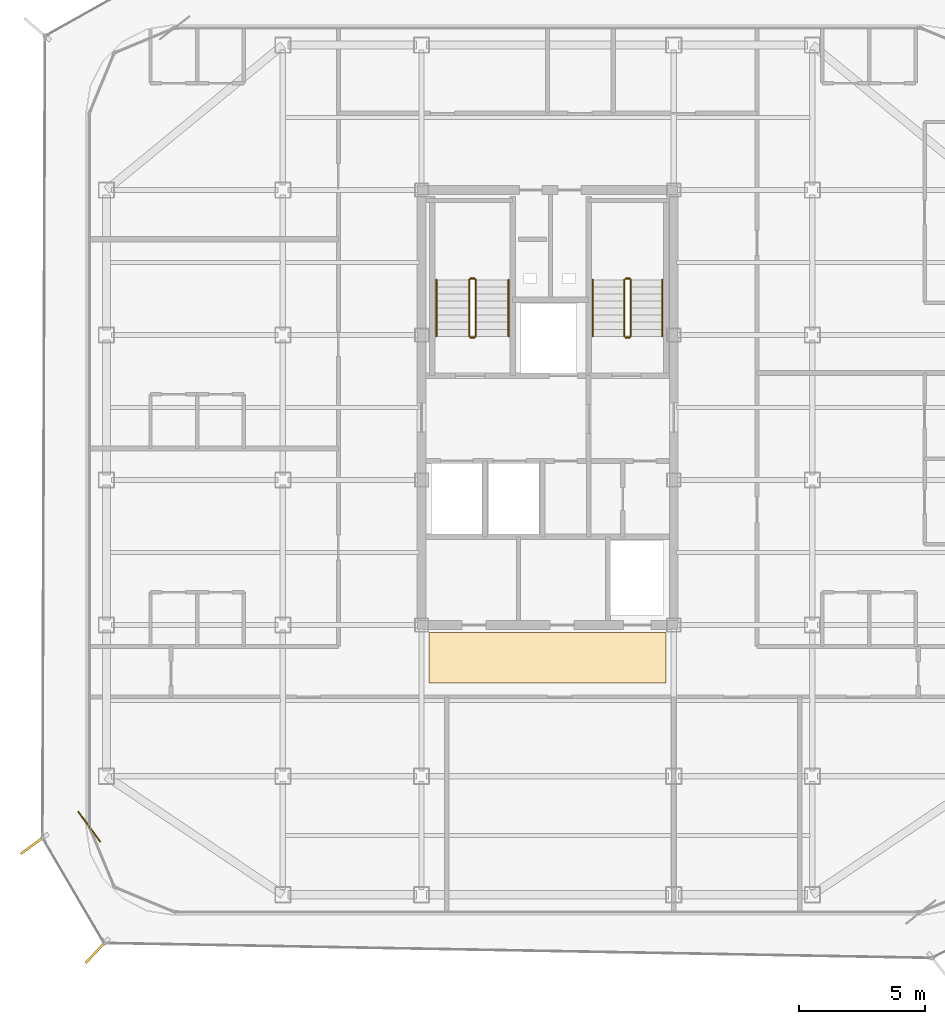
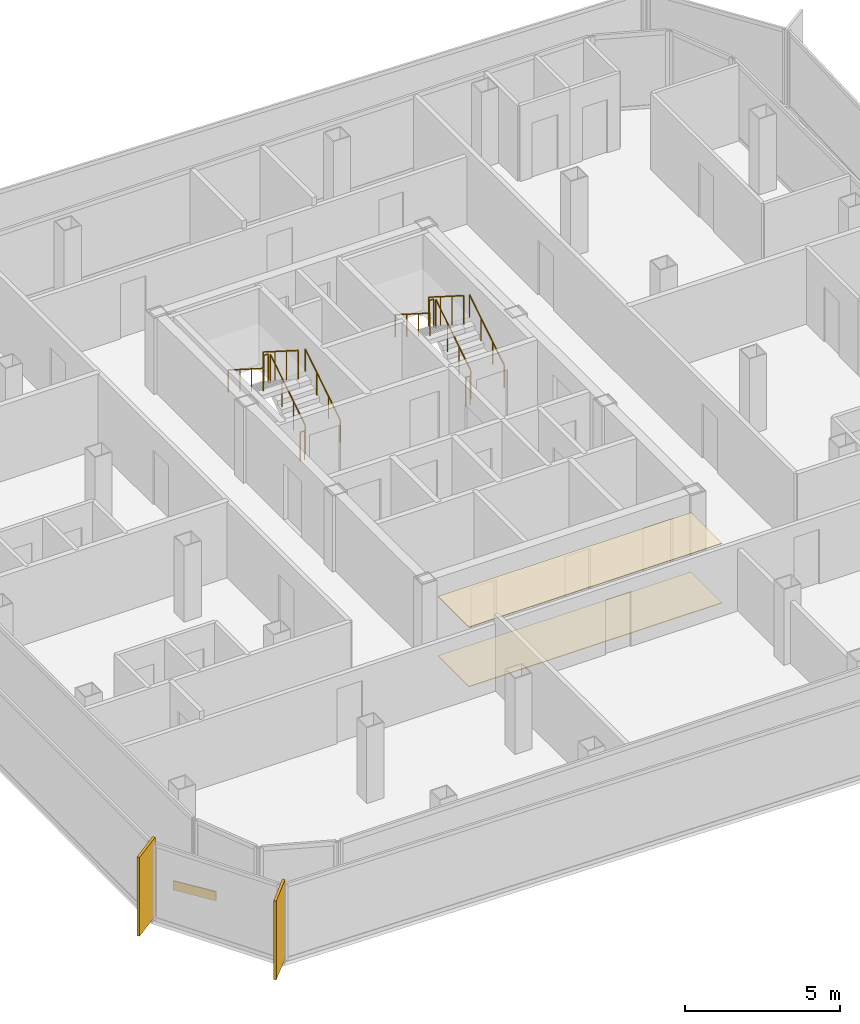
# One storey, part 13 of 14: 12 railings, 3 coverings, 2 shading devices.
"""IFC4 building model written with IfcOpenShell, lengths in metres."""

from ifc_helpers import new_model, si_unit, direction, frame, origin, origin_2d, place, context, subcontext, project, spatial, polyline, rectangle, circle, outline, extrude, source, transform, mapped, material, layer, layer_set, type_object, element, save


model = new_model("IFC4")

# Units and contexts
model_context = context("Model", 3, precision=1e-05, world=origin(), true_north=direction((0.0, 1.0)))
body_context = subcontext(model_context, "Body", "Model", "MODEL_VIEW")
ifc_project = project(units=[si_unit("LENGTHUNIT", "METRE"), si_unit("AREAUNIT", "SQUARE_METRE"), si_unit("VOLUMEUNIT", "CUBIC_METRE"), si_unit("PLANEANGLEUNIT", "RADIAN"), si_unit("MASSUNIT", "GRAM", prefix="KILO")], contexts=[model_context])

# Site, building, storey
site_placement = place(None, origin())
site = spatial("IfcSite", under=ifc_project, at=site_placement, CompositionType="ELEMENT")
building_placement = place(site_placement, origin())
building = spatial("IfcBuilding", under=site, at=building_placement, Name="Kolveth Station Tower", CompositionType="ELEMENT")
storey_placement = place(building_placement, frame((0.0, 0.0, 226.5)))
storey = spatial("IfcBuildingStorey", under=building, at=storey_placement, Name="L64", CompositionType="ELEMENT", Elevation=226.5)

# Coverings
ifc_material_1 = material(Name="Acoustic mineral-fibre ceiling tile")
ifc_layer_1 = layer(ifc_material_1, 0.02490234375)
ifc_layer_set_1 = layer_set([ifc_layer_1], Name="Acoustic mineral-fibre ceiling tile")
covering_type_1 = type_object("IfcCoveringType", Name="Ceil_CL1", PredefinedType="CEILING", material=ifc_layer_set_1)
covering_1_placement = place(storey_placement, frame((0.0, 0.0, 2.330078125)))
element("IfcCovering", 1, at=covering_1_placement, inside=storey, type_object=covering_type_1, Name="L64 Lift Lobby Suspended Ceiling", PredefinedType="CEILING", context=body_context, shape_type="SweptSolid", body=[
    extrude(outline(polyline([(18.800048828125, 9.199951171875), (28.199951171875, 9.199951171875), (28.199951171875, 11.199951171875), (18.800048828125, 11.199951171875), (18.800048828125, 9.199951171875)])), origin(), (0.0, 0.0, 1.0), 0.02490234375),
])
ifc_material_2 = material(Name="Honed terrazzo flooring")
ifc_layer_2 = layer(ifc_material_2, 0.02001953125)
ifc_layer_set_2 = layer_set([ifc_layer_2], Name="Honed terrazzo flooring")
covering_type_2 = type_object("IfcCoveringType", Name="Floor_FL1", PredefinedType="FLOORING", material=ifc_layer_set_2)
covering_2_placement = place(storey_placement, origin())
element("IfcCovering", 2, at=covering_2_placement, inside=storey, type_object=covering_type_2, Name="L64 Lift Lobby Floor Finish", PredefinedType="FLOORING", context=body_context, shape_type="SweptSolid", body=[
    extrude(outline(polyline([(18.800048828125, 9.199951171875), (28.199951171875, 9.199951171875), (28.199951171875, 11.199951171875), (18.800048828125, 11.199951171875), (18.800048828125, 9.199951171875)])), origin(), (0.0, 0.0, 1.0), 0.02001953125),
])

# Railings
ifc_material_3 = material(Name="Painted Steel S355 balustrade", Category="steel")
railing_type_1 = type_object("IfcRailingType", Name="Guard_GR2", PredefinedType="BALUSTRADE", material=ifc_material_3)
railing_1_placement = place(storey_placement, frame((20.64990234375, 22.949951171875, 0.177734375)))
element("IfcRailing", 3, at=railing_1_placement, inside=storey, type_object=railing_type_1, Name="L64 ST1 stair guard 1", PredefinedType="BALUSTRADE", context=body_context, shape_type="SweptSolid", body=[
    extrude(circle(Radius=0.02392578125, at=origin_2d()), frame((0.0, 0.0, 1.1259765625), z_axis=(0.0, 0.84418770128, 0.536047689118), x_axis=(-1.0, 0.0, 0.0)), (0.0, 0.0, 1.0), 2.6533203125),
    extrude(circle(Radius=0.02099609375, at=origin_2d()), origin(), (0.0, 0.0, 1.0), 1.101806640625),
    extrude(circle(Radius=0.02099609375, at=origin_2d()), frame((0.0, 0.74658203125, 0.47412109375)), (0.0, 0.0, 1.0), 1.101806640625),
    extrude(circle(Radius=0.02099609375, at=origin_2d()), frame((0.0, 1.493408203125, 0.9482421875)), (0.0, 0.0, 1.0), 1.101806640625),
    extrude(circle(Radius=0.02099609375, at=origin_2d()), frame((0.0, 2.239990234375, 1.42236328125)), (0.0, 0.0, 1.0), 1.101806640625),
])
railing_2_placement = place(storey_placement, frame((20.60009765625, 25.239990234375, 1.60009765625)))
element("IfcRailing", 4, at=railing_2_placement, inside=storey, type_object=railing_type_1, Name="L64 ST1 stair guard 2", PredefinedType="BALUSTRADE", context=body_context, shape_type="SweptSolid", body=[
    extrude(circle(Radius=0.02392578125, at=origin_2d()), frame((0.0, 0.0, 1.1259765625), z_axis=(-1.0, 0.0, 0.0), x_axis=(0.0, -1.0, 0.0)), (0.0, 0.0, 1.0), 0.16015625),
    extrude(circle(Radius=0.02099609375, at=origin_2d()), origin(), (0.0, 0.0, 1.0), 1.101806640625),
    extrude(circle(Radius=0.02099609375, at=origin_2d()), frame((-0.16015625, 0.0, 0.0)), (0.0, 0.0, 1.0), 1.101806640625),
])
railing_3_placement = place(storey_placement, frame((20.389892578125, 25.18994140625, 1.77783203125)))
element("IfcRailing", 5, at=railing_3_placement, inside=storey, type_object=railing_type_1, Name="L64 ST1 stair guard 3", PredefinedType="BALUSTRADE", context=body_context, shape_type="SweptSolid", body=[
    extrude(circle(Radius=0.02392578125, at=origin_2d()), frame((0.0, 0.0, 1.1259765625), z_axis=(0.0, -0.8442293374, 0.53598211339), x_axis=(1.0, 0.0, 0.0)), (0.0, 0.0, 1.0), 2.6533203125),
    extrude(circle(Radius=0.02099609375, at=origin_2d()), origin(), (0.0, 0.0, 1.0), 1.101806640625),
    extrude(circle(Radius=0.02099609375, at=origin_2d()), frame((0.0, -0.74658203125, 0.47412109375)), (0.0, 0.0, 1.0), 1.101806640625),
    extrude(circle(Radius=0.02099609375, at=origin_2d()), frame((0.0, -1.493408203125, 0.947998046875)), (0.0, 0.0, 1.0), 1.101806640625),
    extrude(circle(Radius=0.02099609375, at=origin_2d()), frame((0.0, -2.239990234375, 1.422119140625)), (0.0, 0.0, 1.0), 1.101806640625),
])
railing_4_placement = place(storey_placement, frame((20.60009765625, 22.89990234375, 0.0)))
element("IfcRailing", 6, at=railing_4_placement, inside=storey, type_object=railing_type_1, Name="L64 ST1 stair guard 4", PredefinedType="BALUSTRADE", context=body_context, shape_type="SweptSolid", body=[
    extrude(circle(Radius=0.02392578125, at=origin_2d()), frame((0.0, 0.0, 1.1259765625), z_axis=(-1.0, 0.0, 0.0), x_axis=(0.0, -1.0, 0.0)), (0.0, 0.0, 1.0), 0.16015625),
    extrude(circle(Radius=0.02099609375, at=origin_2d()), origin(), (0.0, 0.0, 1.0), 1.101806640625),
    extrude(circle(Radius=0.02099609375, at=origin_2d()), frame((-0.16015625, 0.0, 0.0)), (0.0, 0.0, 1.0), 1.101806640625),
])
railing_5_placement = place(storey_placement, frame((26.800048828125, 22.949951171875, 0.177734375)))
element("IfcRailing", 7, at=railing_5_placement, inside=storey, type_object=railing_type_1, Name="L64 ST2 stair guard 1", PredefinedType="BALUSTRADE", context=body_context, shape_type="SweptSolid", body=[
    extrude(circle(Radius=0.02392578125, at=origin_2d()), frame((0.0, 0.0, 1.1259765625), z_axis=(0.0, 0.84418770128, 0.536047689118), x_axis=(-1.0, 0.0, 0.0)), (0.0, 0.0, 1.0), 2.6533203125),
    extrude(circle(Radius=0.02099609375, at=origin_2d()), origin(), (0.0, 0.0, 1.0), 1.101806640625),
    extrude(circle(Radius=0.02099609375, at=origin_2d()), frame((0.0, 0.74658203125, 0.47412109375)), (0.0, 0.0, 1.0), 1.101806640625),
    extrude(circle(Radius=0.02099609375, at=origin_2d()), frame((0.0, 1.493408203125, 0.9482421875)), (0.0, 0.0, 1.0), 1.101806640625),
    extrude(circle(Radius=0.02099609375, at=origin_2d()), frame((0.0, 2.239990234375, 1.42236328125)), (0.0, 0.0, 1.0), 1.101806640625),
])
railing_6_placement = place(storey_placement, frame((26.75, 25.239990234375, 1.60009765625)))
element("IfcRailing", 8, at=railing_6_placement, inside=storey, type_object=railing_type_1, Name="L64 ST2 stair guard 2", PredefinedType="BALUSTRADE", context=body_context, shape_type="SweptSolid", body=[
    extrude(circle(Radius=0.02392578125, at=origin_2d()), frame((0.0, 0.0, 1.1259765625), z_axis=(-1.0, 0.0, 0.0), x_axis=(0.0, -1.0, 0.0)), (0.0, 0.0, 1.0), 0.159912109375),
    extrude(circle(Radius=0.02099609375, at=origin_2d()), origin(), (0.0, 0.0, 1.0), 1.101806640625),
    extrude(circle(Radius=0.02099609375, at=origin_2d()), frame((-0.159912109375, 0.0, 0.0)), (0.0, 0.0, 1.0), 1.101806640625),
])
railing_7_placement = place(storey_placement, frame((26.5400390625, 25.18994140625, 1.77783203125)))
element("IfcRailing", 9, at=railing_7_placement, inside=storey, type_object=railing_type_1, Name="L64 ST2 stair guard 3", PredefinedType="BALUSTRADE", context=body_context, shape_type="SweptSolid", body=[
    extrude(circle(Radius=0.02392578125, at=origin_2d()), frame((0.0, 0.0, 1.1259765625), z_axis=(0.0, -0.8442293374, 0.53598211339), x_axis=(1.0, 0.0, 0.0)), (0.0, 0.0, 1.0), 2.6533203125),
    extrude(circle(Radius=0.02099609375, at=origin_2d()), origin(), (0.0, 0.0, 1.0), 1.101806640625),
    extrude(circle(Radius=0.02099609375, at=origin_2d()), frame((0.0, -0.74658203125, 0.47412109375)), (0.0, 0.0, 1.0), 1.101806640625),
    extrude(circle(Radius=0.02099609375, at=origin_2d()), frame((0.0, -1.493408203125, 0.947998046875)), (0.0, 0.0, 1.0), 1.101806640625),
    extrude(circle(Radius=0.02099609375, at=origin_2d()), frame((0.0, -2.239990234375, 1.422119140625)), (0.0, 0.0, 1.0), 1.101806640625),
])
railing_8_placement = place(storey_placement, frame((26.75, 22.89990234375, 0.0)))
element("IfcRailing", 10, at=railing_8_placement, inside=storey, type_object=railing_type_1, Name="L64 ST2 stair guard 4", PredefinedType="BALUSTRADE", context=body_context, shape_type="SweptSolid", body=[
    extrude(circle(Radius=0.02392578125, at=origin_2d()), frame((0.0, 0.0, 1.1259765625), z_axis=(-1.0, 0.0, 0.0), x_axis=(0.0, -1.0, 0.0)), (0.0, 0.0, 1.0), 0.159912109375),
    extrude(circle(Radius=0.02099609375, at=origin_2d()), origin(), (0.0, 0.0, 1.0), 1.101806640625),
    extrude(circle(Radius=0.02099609375, at=origin_2d()), frame((-0.159912109375, 0.0, 0.0)), (0.0, 0.0, 1.0), 1.101806640625),
])
ifc_material_4 = material(Name="Brushed stainless steel", Category="steel")
railing_type_2 = type_object("IfcRailingType", Name="Handrail_HR1", PredefinedType="HANDRAIL", material=ifc_material_4)
railing_9_placement = place(storey_placement, frame((21.949951171875, 22.949951171875, 0.177734375)))
element("IfcRailing", 11, at=railing_9_placement, inside=storey, type_object=railing_type_2, Name="L64 ST1 stair handrail 1", PredefinedType="HANDRAIL", context=body_context, shape_type="SweptSolid", body=[
    extrude(circle(Radius=0.02392578125, at=origin_2d()), frame((0.0, 0.0, 0.8759765625), z_axis=(0.0, 0.84418770128, 0.536047689118), x_axis=(-1.0, 0.0, 0.0)), (0.0, 0.0, 1.0), 2.6533203125),
    extrude(circle(Radius=0.02099609375, at=origin_2d()), origin(), (0.0, 0.0, 1.0), 0.851806640625),
    extrude(circle(Radius=0.02099609375, at=origin_2d()), frame((0.0, 0.74658203125, 0.47412109375)), (0.0, 0.0, 1.0), 0.851806640625),
    extrude(circle(Radius=0.02099609375, at=origin_2d()), frame((0.0, 1.493408203125, 0.9482421875)), (0.0, 0.0, 1.0), 0.851806640625),
    extrude(circle(Radius=0.02099609375, at=origin_2d()), frame((0.0, 2.239990234375, 1.42236328125)), (0.0, 0.0, 1.0), 0.851806640625),
])
railing_10_placement = place(storey_placement, frame((19.090087890625, 25.18994140625, 1.77783203125)))
element("IfcRailing", 12, at=railing_10_placement, inside=storey, type_object=railing_type_2, Name="L64 ST1 stair handrail 2", PredefinedType="HANDRAIL", context=body_context, shape_type="SweptSolid", body=[
    extrude(circle(Radius=0.02392578125, at=origin_2d()), frame((0.0, 0.0, 0.8759765625), z_axis=(0.0, -0.8442293374, 0.53598211339), x_axis=(1.0, 0.0, 0.0)), (0.0, 0.0, 1.0), 2.6533203125),
    extrude(circle(Radius=0.02099609375, at=origin_2d()), origin(), (0.0, 0.0, 1.0), 0.851806640625),
    extrude(circle(Radius=0.02099609375, at=origin_2d()), frame((0.0, -0.74658203125, 0.47412109375)), (0.0, 0.0, 1.0), 0.851806640625),
    extrude(circle(Radius=0.02099609375, at=origin_2d()), frame((0.0, -1.493408203125, 0.947998046875)), (0.0, 0.0, 1.0), 0.851806640625),
    extrude(circle(Radius=0.02099609375, at=origin_2d()), frame((0.0, -2.239990234375, 1.422119140625)), (0.0, 0.0, 1.0), 0.851806640625),
])
railing_11_placement = place(storey_placement, frame((28.050048828125, 22.949951171875, 0.177734375)))
element("IfcRailing", 13, at=railing_11_placement, inside=storey, type_object=railing_type_2, Name="L64 ST2 stair handrail 1", PredefinedType="HANDRAIL", context=body_context, shape_type="SweptSolid", body=[
    extrude(circle(Radius=0.02392578125, at=origin_2d()), frame((0.0, 0.0, 0.8759765625), z_axis=(0.0, 0.84418770128, 0.536047689118), x_axis=(-1.0, 0.0, 0.0)), (0.0, 0.0, 1.0), 2.6533203125),
    extrude(circle(Radius=0.02099609375, at=origin_2d()), origin(), (0.0, 0.0, 1.0), 0.851806640625),
    extrude(circle(Radius=0.02099609375, at=origin_2d()), frame((0.0, 0.74658203125, 0.47412109375)), (0.0, 0.0, 1.0), 0.851806640625),
    extrude(circle(Radius=0.02099609375, at=origin_2d()), frame((0.0, 1.493408203125, 0.9482421875)), (0.0, 0.0, 1.0), 0.851806640625),
    extrude(circle(Radius=0.02099609375, at=origin_2d()), frame((0.0, 2.239990234375, 1.42236328125)), (0.0, 0.0, 1.0), 0.851806640625),
])
railing_12_placement = place(storey_placement, frame((25.2900390625, 25.18994140625, 1.77783203125)))
element("IfcRailing", 14, at=railing_12_placement, inside=storey, type_object=railing_type_2, Name="L64 ST2 stair handrail 2", PredefinedType="HANDRAIL", context=body_context, shape_type="SweptSolid", body=[
    extrude(circle(Radius=0.02392578125, at=origin_2d()), frame((0.0, 0.0, 0.8759765625), z_axis=(0.0, -0.8442293374, 0.53598211339), x_axis=(1.0, 0.0, 0.0)), (0.0, 0.0, 1.0), 2.6533203125),
    extrude(circle(Radius=0.02099609375, at=origin_2d()), origin(), (0.0, 0.0, 1.0), 0.851806640625),
    extrude(circle(Radius=0.02099609375, at=origin_2d()), frame((0.0, -0.74658203125, 0.47412109375)), (0.0, 0.0, 1.0), 0.851806640625),
    extrude(circle(Radius=0.02099609375, at=origin_2d()), frame((0.0, -1.493408203125, 0.947998046875)), (0.0, 0.0, 1.0), 0.851806640625),
    extrude(circle(Radius=0.02099609375, at=origin_2d()), frame((0.0, -2.239990234375, 1.422119140625)), (0.0, 0.0, 1.0), 0.851806640625),
])

# Shading devices
ifc_material_5 = material(Name="Black anodized aluminium 6063-T6", Category="aluminium")
shading_device_type = type_object("IfcShadingDeviceType", Name="FIN_VF1", PredefinedType="USERDEFINED", material=ifc_material_5)
shared_shape_1 = source(origin(), body_context, "Body", "SweptSolid", [
    extrude(rectangle(XDim=1.25, YDim=0.090087890625, at=origin_2d()), origin(), (0.0, 0.0, 1.0), 3.10009765625),
])
for number, where, z_axis, x_axis, name in (
    (15, (3.10498046875, 2.7900390625, 0.0), (0.0, 0.0, 1.0), (-0.808195502996, -0.588914279787, 0.0), "L64 Dark-Aluminium Solar Fin 7"),
    (16, (5.60791015625, -1.446044921875, 0.0), (0.0, 0.0, 1.0), (-0.683783356562, -0.729685083642, 0.0), "L64 Dark-Aluminium Solar Fin 8"),
):
    element("IfcShadingDevice", number, at=place(storey_placement, frame(where, z_axis=z_axis, x_axis=x_axis)), inside=storey, type_object=shading_device_type, Name=name, ObjectType="FIN", PredefinedType="USERDEFINED", context=body_context, shape_type="MappedRepresentation", body=[
        mapped(shared_shape_1, transform((0.0, 0.0, 0.0), x_axis=(1.0, 0.0, 0.0), y_axis=(0.0, 1.0, 0.0), z_axis=(0.0, 0.0, 1.0), scale=1.0)),
    ])

# Covering
ifc_material_6 = material(Name="Charcoal anodized aluminium spandrel cladding", Category="aluminium")
ifc_layer_3 = layer(ifc_material_6, 0.044921875)
ifc_layer_set_3 = layer_set([ifc_layer_3], Name="Charcoal anodized aluminium spandrel cladding")
covering_type_3 = type_object("IfcCoveringType", Name="Clad_CD1", PredefinedType="CLADDING", material=ifc_layer_set_3)
shared_shape_2 = source(origin(), body_context, "Body", "SweptSolid", [
    extrude(rectangle(XDim=1.5, YDim=0.044921875, at=origin_2d()), origin(), (0.0, 0.0, 1.0), 0.360107421875),
])
covering_3_placement = place(storey_placement, frame((5.320068359375, 3.5, 0.0), z_axis=(0.0, 0.0, 1.0), x_axis=(0.588914279787, -0.808195502996, 0.0)))
element("IfcCovering", 17, at=covering_3_placement, inside=storey, type_object=covering_type_3, Name="L64 Spandrel Edge Cladding 7", PredefinedType="CLADDING", context=body_context, shape_type="MappedRepresentation", body=[
    mapped(shared_shape_2, transform((0.0, 0.0, 0.0), x_axis=(1.0, 0.0, 0.0), y_axis=(0.0, 1.0, 0.0), z_axis=(0.0, 0.0, 1.0), scale=1.0)),
])

save(model, "model.ifc")
